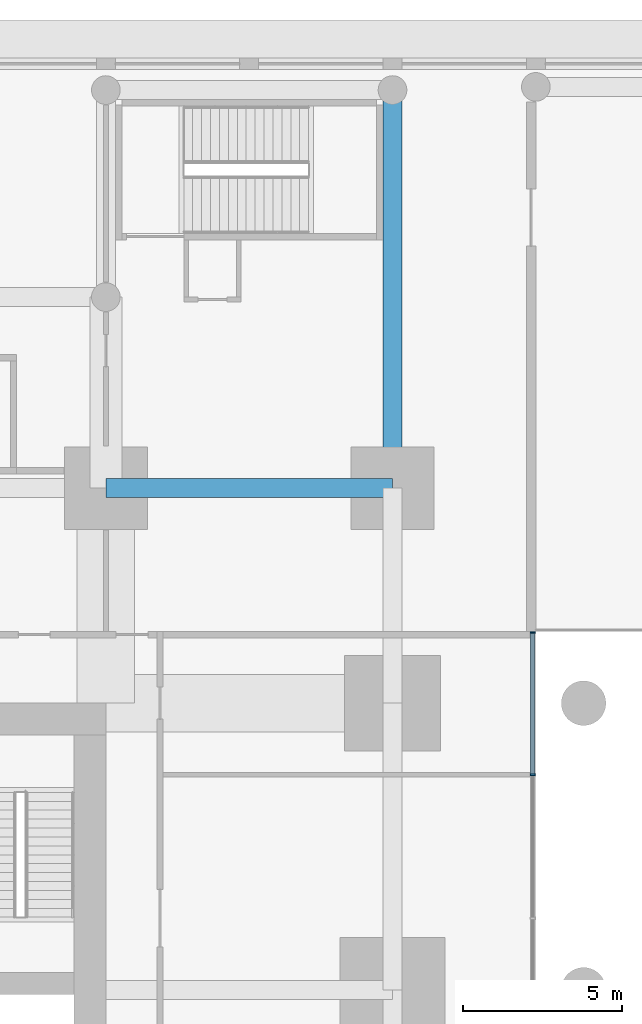
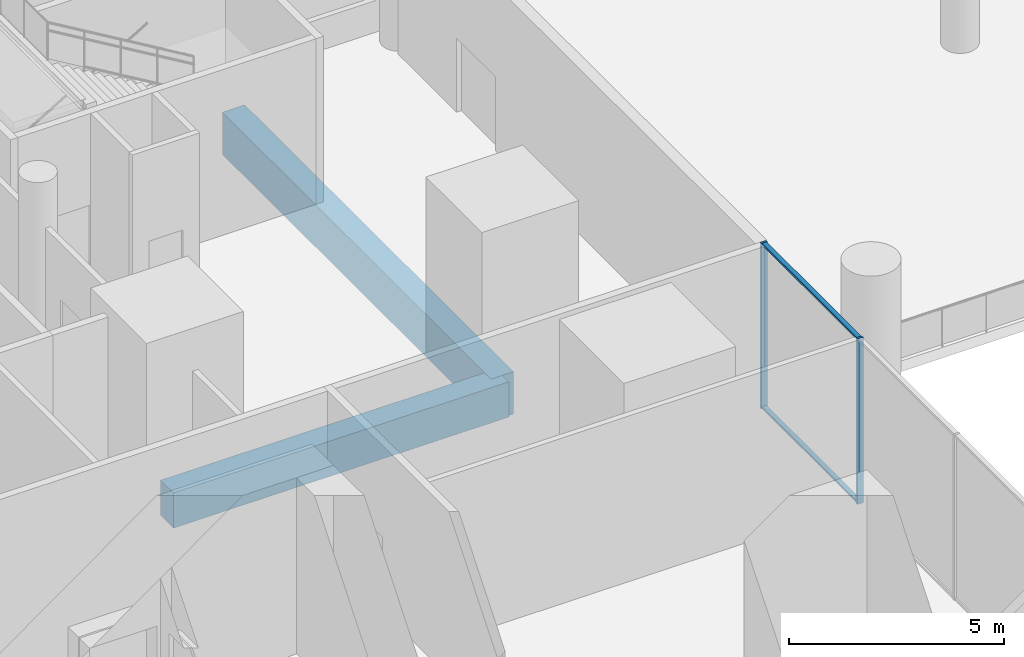
# One storey, part 6 of 22: 4 members, 2 beams, 1 element without a shape of its own.
"""IFC4 building model written with IfcOpenShell, lengths in metres."""

from ifc_helpers import new_model, si_unit, direction, frame, origin, origin_2d, place, context, subcontext, project, spatial, rectangle, extrude, material, layer, layer_set, material_profile, profile_set, type_object, element, aggregate, save


model = new_model("IFC4")

# Units and contexts
model_context = context("Model", 3, precision=1e-05, world=origin(), true_north=direction((0.0, 1.0)))
body_context = subcontext(model_context, "Body", "Model", "MODEL_VIEW")
ifc_project = project(units=[si_unit("LENGTHUNIT", "METRE"), si_unit("AREAUNIT", "SQUARE_METRE"), si_unit("VOLUMEUNIT", "CUBIC_METRE"), si_unit("PLANEANGLEUNIT", "RADIAN"), si_unit("MASSUNIT", "GRAM", prefix="KILO")], contexts=[model_context])

# Site, building, storey
site_placement = place(None, origin())
site = spatial("IfcSite", under=ifc_project, at=site_placement, CompositionType="ELEMENT")
building_placement = place(site_placement, origin())
building = spatial("IfcBuilding", under=site, at=building_placement, Name="Namib Vertical Campus", CompositionType="ELEMENT")
storey_placement = place(building_placement, frame((0.0, 0.0, 11.0)))
storey = spatial("IfcBuildingStorey", under=building, at=storey_placement, Name="L02", CompositionType="ELEMENT", Elevation=11.0)

# Curtain wall, members
ifc_material_1 = material(Name="Black aluminium curtain wall", Category="aluminium")
ifc_layer = layer(ifc_material_1, 0.199951171875)
ifc_layer_set = layer_set([ifc_layer], Name="Atrium screen curtain wall CW-AT")
curtain_wall_type = type_object("IfcCurtainWallType", Name="Atrium screen curtain wall CW-AT", PredefinedType="USERDEFINED", material=ifc_layer_set)
curtain_wall_placement = place(storey_placement, origin())
curtain_wall = element("IfcCurtainWall", 1, at=curtain_wall_placement, inside=storey, type_object=curtain_wall_type, Name="Curtain wall CW-AT atrium A L02 1", ObjectType="CURTAIN WALL", PredefinedType="USERDEFINED")
ifc_material_2 = material(Name="Black anodised aluminium", Category="aluminium")
ifc_material_profile_1 = material_profile(ifc_material_2, rectangle(XDim=0.06005859375, YDim=0.159912109375, at=origin_2d()))
ifc_profile_set_1 = profile_set([ifc_material_profile_1], Name="Black anodised aluminium")
member_type_1 = type_object("IfcMemberType", Name="Curtain wall mullion 60x160", PredefinedType="MULLION", material=ifc_profile_set_1)
member_1_placement = place(storey_placement, frame((40.39990234375, 27.0, 0.0), z_axis=(0.0, 0.0, 1.0), x_axis=(0.0, 1.0, 0.0)))
member_1 = element("IfcMember", 2, at=member_1_placement, type_object=member_type_1, Name="CW-AT mullion 5", PredefinedType="MULLION", context=body_context, shape_type="SweptSolid", body=[
    extrude(rectangle(XDim=0.06005859375, YDim=0.159912109375, at=origin_2d()), origin(), (0.0, 0.0, 1.0), 4.699951171875),
])
member_2_placement = place(storey_placement, frame((40.39990234375, 31.469970703125, 0.0), z_axis=(0.0, 0.0, 1.0), x_axis=(0.0, 1.0, 0.0)))
member_2 = element("IfcMember", 3, at=member_2_placement, type_object=member_type_1, Name="CW-AT mullion 6", PredefinedType="MULLION", context=body_context, shape_type="SweptSolid", body=[
    extrude(rectangle(XDim=0.06005859375, YDim=0.159912109375, at=origin_2d()), origin(), (0.0, 0.0, 1.0), 4.699951171875),
])
ifc_material_3 = material(Name="Black anodised aluminium", Category="aluminium")
ifc_material_profile_2 = material_profile(ifc_material_3, rectangle(XDim=0.06005859375, YDim=0.1201171875, at=origin_2d()))
ifc_profile_set_2 = profile_set([ifc_material_profile_2], Name="Black anodised aluminium")
member_type_2 = type_object("IfcMemberType", Name="Curtain wall transom 60x120", PredefinedType="USERDEFINED", material=ifc_profile_set_2)
member_3_placement = place(storey_placement, frame((40.39990234375, 27.030029296875, 0.030029296875), z_axis=(0.0, 1.0, 0.0), x_axis=(0.0, 0.0, 1.0)))
member_3 = element("IfcMember", 4, at=member_3_placement, type_object=member_type_2, Name="CW-AT transom 5.1", ObjectType="TRANSOM", PredefinedType="USERDEFINED", context=body_context, shape_type="SweptSolid", body=[
    extrude(rectangle(XDim=0.06005859375, YDim=0.1201171875, at=origin_2d()), origin(), (0.0, 0.0, 1.0), 4.409912109375),
])
member_4_placement = place(storey_placement, frame((40.39990234375, 27.030029296875, 4.669921875), z_axis=(0.0, 1.0, 0.0), x_axis=(0.0, 0.0, 1.0)))
member_4 = element("IfcMember", 5, at=member_4_placement, type_object=member_type_2, Name="CW-AT transom 5.2", ObjectType="TRANSOM", PredefinedType="USERDEFINED", context=body_context, shape_type="SweptSolid", body=[
    extrude(rectangle(XDim=0.06005859375, YDim=0.1201171875, at=origin_2d()), origin(), (0.0, 0.0, 1.0), 4.409912109375),
])
aggregate(curtain_wall, [member_1, member_2, member_3, member_4])

# Beams
ifc_material_4 = material(Name="Concrete C40/50", Category="concrete")
ifc_material_profile_3 = material_profile(ifc_material_4, rectangle(XDim=0.60009765625, YDim=1.199951171875, at=origin_2d()))
ifc_profile_set_3 = profile_set([ifc_material_profile_3], Name="Concrete C40/50")
beam_type_1 = type_object("IfcBeamType", Name="Long-span podium beam RC 600x1200", PredefinedType="BEAM", material=ifc_profile_set_3)
beam_1_placement = place(storey_placement, frame((36.0, 36.0, -0.89990234375), z_axis=(0.0, 1.0, 0.0), x_axis=(-1.0, 0.0, 0.0)))
element("IfcBeam", 6, at=beam_1_placement, inside=storey, type_object=beam_type_1, Name="Beam PB4 L02", PredefinedType="BEAM", context=body_context, shape_type="SweptSolid", body=[
    extrude(rectangle(XDim=0.60009765625, YDim=1.199951171875, at=origin_2d()), origin(), (0.0, 0.0, 1.0), 12.5),
])
ifc_material_5 = material(Name="Concrete C40/50", Category="concrete")
ifc_material_profile_4 = material_profile(ifc_material_5, rectangle(XDim=0.60009765625, YDim=1.0, at=origin_2d()))
ifc_profile_set_4 = profile_set([ifc_material_profile_4], Name="Concrete C40/50")
beam_type_2 = type_object("IfcBeamType", Name="Podium ring beam RC 600x1000", PredefinedType="BEAM", material=ifc_profile_set_4)
beam_2_placement = place(storey_placement, frame((27.0, 36.0, -0.800048828125), z_axis=(1.0, 0.0, 0.0), x_axis=(0.0, 1.0, 0.0)))
element("IfcBeam", 7, at=beam_2_placement, inside=storey, type_object=beam_type_2, Name="Beam B6 L02", PredefinedType="BEAM", context=body_context, shape_type="SweptSolid", body=[
    extrude(rectangle(XDim=0.60009765625, YDim=1.0, at=origin_2d()), origin(), (0.0, 0.0, 1.0), 9.0),
])

save(model, "model.ifc")
